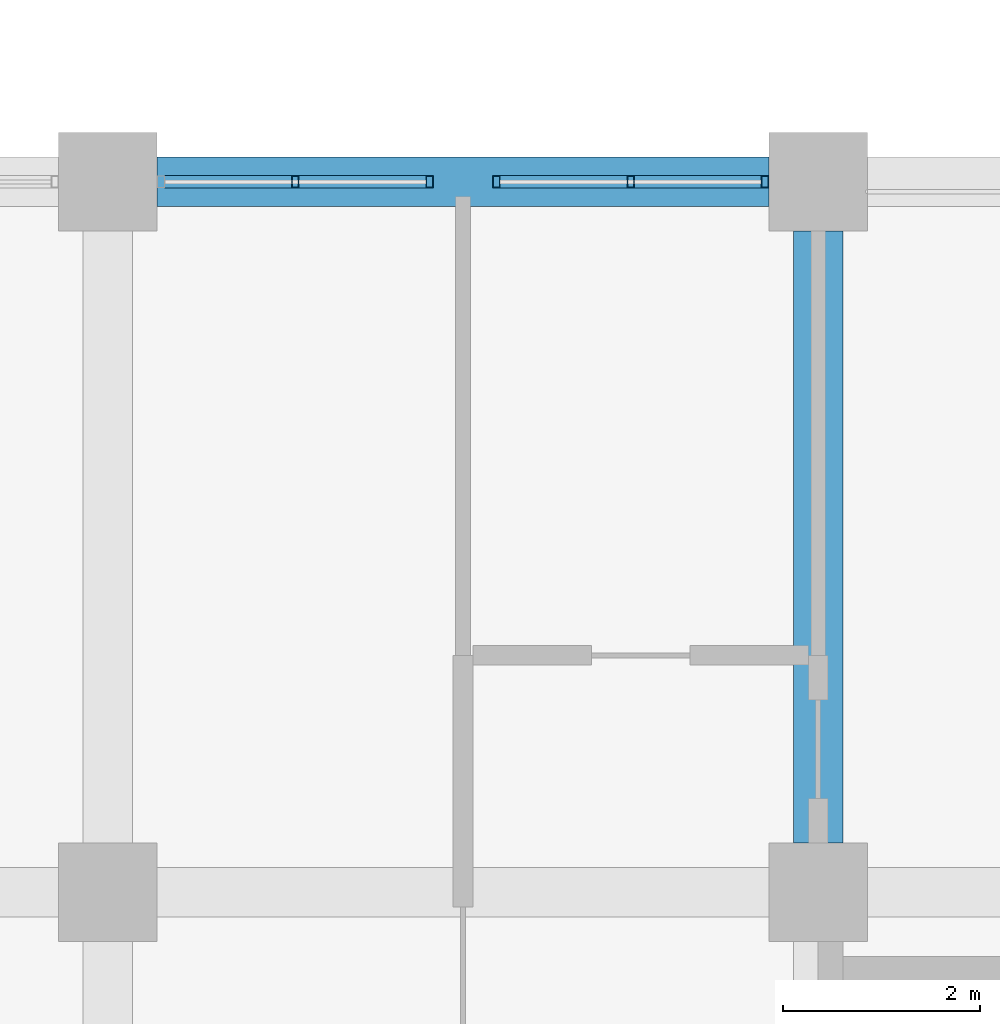
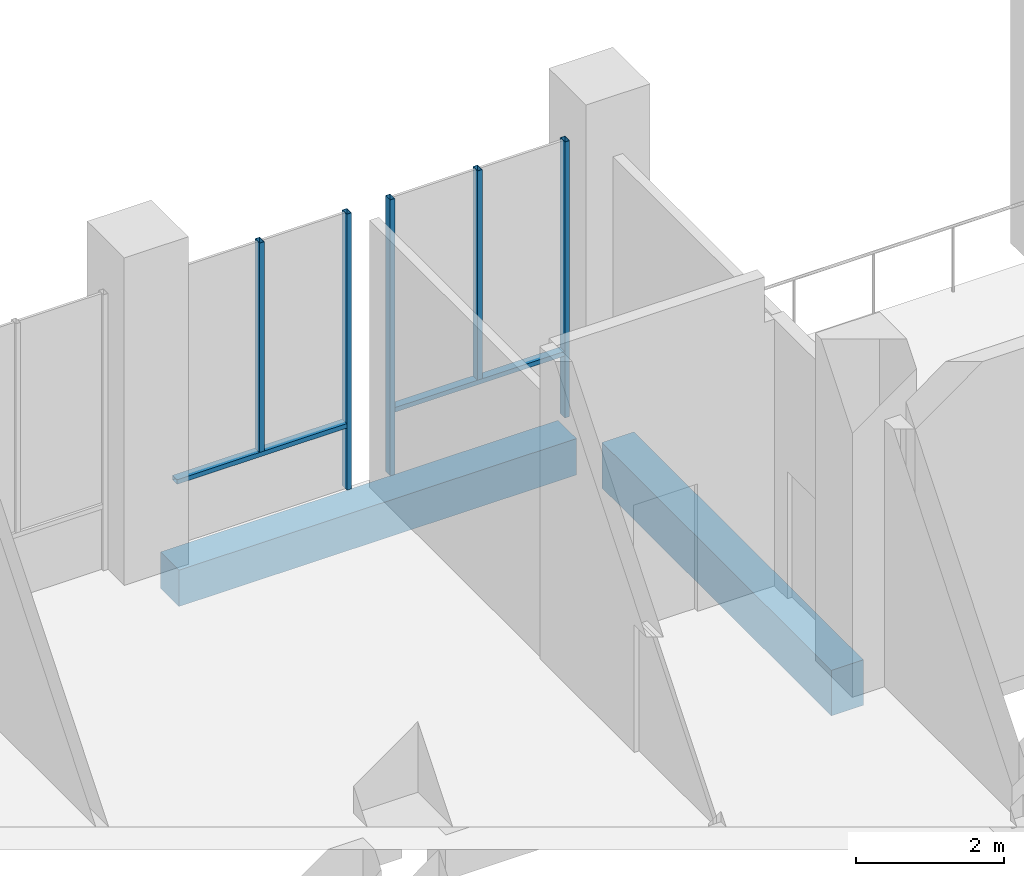
# One storey, part 5 of 48: 7 members, 2 beams, 2 elements without a shape of their own.
"""IFC4 building model written with IfcOpenShell, lengths in metres."""

from ifc_helpers import new_model, si_unit, direction, frame, origin, origin_2d, place, context, subcontext, project, spatial, rectangle, hollow_rectangle, extrude, material, material_profile, profile_set, type_object, element, aggregate, save


model = new_model("IFC4")

# Units and contexts
model_context = context("Model", 3, precision=1e-05, world=origin(), true_north=direction((0.0, 1.0)))
body_context = subcontext(model_context, "Body", "Model", "MODEL_VIEW")
ifc_project = project(units=[si_unit("LENGTHUNIT", "METRE"), si_unit("AREAUNIT", "SQUARE_METRE"), si_unit("VOLUMEUNIT", "CUBIC_METRE"), si_unit("PLANEANGLEUNIT", "RADIAN"), si_unit("MASSUNIT", "GRAM", prefix="KILO")], contexts=[model_context])

# Site, building, storey
site_placement = place(None, origin())
site = spatial("IfcSite", under=ifc_project, at=site_placement, CompositionType="ELEMENT")
building_placement = place(site_placement, origin())
building = spatial("IfcBuilding", under=site, at=building_placement, Name="Silangan Lancet Faculty of Sciences", CompositionType="ELEMENT")
storey_placement = place(building_placement, frame((0.0, 0.0, 6.0)))
storey = spatial("IfcBuildingStorey", under=building, at=storey_placement, Name="L01", CompositionType="ELEMENT", Elevation=6.0)

# Beams
ifc_material_1 = material(Name="Concrete C40/50", Category="concrete")
ifc_material_profile_1 = material_profile(ifc_material_1, rectangle(XDim=0.5, YDim=0.60009765625, at=origin_2d()), Name="RC 500x600")
ifc_profile_set_1 = profile_set([ifc_material_profile_1], Name="Concrete C40/50")
beam_type_1 = type_object("IfcBeamType", Name="BEAM RC 500x600", PredefinedType="BEAM", material=ifc_profile_set_1)
beam_1_placement = place(storey_placement, frame((14.89990234375, 21.60009765625, -0.550048828125), z_axis=(1.0, 0.0, 0.0), x_axis=(0.0, 1.0, 0.0)))
element("IfcBeam", 1, at=beam_1_placement, inside=storey, type_object=beam_type_1, Name="BM-L01-3D-4D", PredefinedType="BEAM", context=body_context, shape_type="SweptSolid", body=[
    extrude(rectangle(XDim=0.5, YDim=0.60009765625, at=origin_2d()), origin(), (0.0, 0.0, 1.0), 6.2001953125),
])
ifc_material_2 = material(Name="Concrete C40/50", Category="concrete")
ifc_material_profile_2 = material_profile(ifc_material_2, rectangle(XDim=0.5, YDim=0.75, at=origin_2d()), Name="RC 500x750")
ifc_profile_set_2 = profile_set([ifc_material_profile_2], Name="Concrete C40/50")
beam_type_2 = type_object("IfcBeamType", Name="BEAM RC 500x750", PredefinedType="BEAM", material=ifc_profile_set_2)
beam_2_placement = place(storey_placement, frame((21.60009765625, 14.89990234375, -0.625), z_axis=(0.0, 1.0, 0.0), x_axis=(-1.0, 0.0, 0.0)))
element("IfcBeam", 2, at=beam_2_placement, inside=storey, type_object=beam_type_2, Name="BM-L01-4C-4D", PredefinedType="BEAM", context=body_context, shape_type="SweptSolid", body=[
    extrude(rectangle(XDim=0.5, YDim=0.75, at=origin_2d()), origin(), (0.0, 0.0, 1.0), 6.2001953125),
])

# Curtain wall, members
ifc_material_3 = material(Name="Aluminium framed curtain wall with insulated glass", Category="aluminium")
curtain_wall_type = type_object("IfcCurtainWallType", Name="CW2 Atrium fire-resisting screen", PredefinedType="NOTDEFINED", material=ifc_material_3)
curtain_wall_1_placement = place(storey_placement, origin())
curtain_wall_1 = element("IfcCurtainWall", 3, at=curtain_wall_1_placement, inside=storey, type_object=curtain_wall_type, Name="CW2 Atrium south L01 bay 1", PredefinedType="NOTDEFINED")
ifc_material_4 = material(Name="Steel S355J2H", Category="steel")
ifc_material_profile_3 = material_profile(ifc_material_4, hollow_rectangle(XDim=0.074951171875, YDim=0.125, WallThickness=0.0048828125, at=origin_2d()), Name="ST BOX 75x125x5")
ifc_profile_set_3 = profile_set([ifc_material_profile_3], Name="Steel S355J2H")
member_type_1 = type_object("IfcMemberType", Name="CM2 Mullion 75x125", PredefinedType="MULLION", material=ifc_profile_set_3)
member_1_placement = place(storey_placement, frame((21.0625, 21.60009765625, 0.0), z_axis=(0.0, 0.0, 1.0), x_axis=(-1.0, 0.0, 0.0)))
member_1 = element("IfcMember", 4, at=member_1_placement, type_object=member_type_1, Name="CW2 Atrium south L01 bay 1 mullion 1", PredefinedType="MULLION", context=body_context, shape_type="SweptSolid", body=[
    extrude(hollow_rectangle(XDim=0.074951171875, YDim=0.125, WallThickness=0.0048828125, at=origin_2d()), origin(), (0.0, 0.0, 1.0), 4.550048828125),
])
member_2_placement = place(storey_placement, frame((18.33740234375, 21.60009765625, 0.0), z_axis=(0.0, 0.0, 1.0), x_axis=(-1.0, 0.0, 0.0)))
member_2 = element("IfcMember", 5, at=member_2_placement, type_object=member_type_1, Name="CW2 Atrium south L01 bay 1 mullion 2", PredefinedType="MULLION", context=body_context, shape_type="SweptSolid", body=[
    extrude(hollow_rectangle(XDim=0.074951171875, YDim=0.125, WallThickness=0.0048828125, at=origin_2d()), origin(), (0.0, 0.0, 1.0), 4.550048828125),
])
member_3_placement = place(storey_placement, frame((19.699951171875, 21.60009765625, 1.10009765625), z_axis=(0.0, 0.0, 1.0), x_axis=(-1.0, 0.0, 0.0)))
member_3 = element("IfcMember", 6, at=member_3_placement, type_object=member_type_1, Name="CW2 Atrium south L01 bay 1 mullion 3", PredefinedType="MULLION", context=body_context, shape_type="SweptSolid", body=[
    extrude(hollow_rectangle(XDim=0.074951171875, YDim=0.125, WallThickness=0.0048828125, at=origin_2d()), origin(), (0.0, 0.0, 1.0), 3.449951171875),
])

curtain_wall_2_placement = place(storey_placement, origin())
curtain_wall_2 = element("IfcCurtainWall", 7, at=curtain_wall_2_placement, inside=storey, type_object=curtain_wall_type, Name="CW2 Atrium south L01 bay 2", PredefinedType="NOTDEFINED")
member_4_placement = place(storey_placement, frame((17.66259765625, 21.60009765625, 0.0), z_axis=(0.0, 0.0, 1.0), x_axis=(-1.0, 0.0, 0.0)))
member_4 = element("IfcMember", 8, at=member_4_placement, type_object=member_type_1, Name="CW2 Atrium south L01 bay 2 mullion 1", PredefinedType="MULLION", context=body_context, shape_type="SweptSolid", body=[
    extrude(hollow_rectangle(XDim=0.074951171875, YDim=0.125, WallThickness=0.0048828125, at=origin_2d()), origin(), (0.0, 0.0, 1.0), 4.550048828125),
])
member_5_placement = place(storey_placement, frame((16.300048828125, 21.60009765625, 1.10009765625), z_axis=(0.0, 0.0, 1.0), x_axis=(-1.0, 0.0, 0.0)))
member_5 = element("IfcMember", 9, at=member_5_placement, type_object=member_type_1, Name="CW2 Atrium south L01 bay 2 mullion 3", PredefinedType="MULLION", context=body_context, shape_type="SweptSolid", body=[
    extrude(hollow_rectangle(XDim=0.074951171875, YDim=0.125, WallThickness=0.0048828125, at=origin_2d()), origin(), (0.0, 0.0, 1.0), 3.449951171875),
])

# Member
ifc_material_5 = material(Name="Steel S355J2H", Category="steel")
ifc_material_profile_4 = material_profile(ifc_material_5, hollow_rectangle(XDim=0.125, YDim=0.074951171875, WallThickness=0.0048828125, at=origin_2d()), Name="ST BOX 125x75x5")
ifc_profile_set_4 = profile_set([ifc_material_profile_4], Name="Steel S355J2H")
member_type_2 = type_object("IfcMemberType", Name="CT2 Transom 125x75", PredefinedType="USERDEFINED", material=ifc_profile_set_4)
member_6_placement = place(storey_placement, frame((21.02490234375, 21.60009765625, 1.0625), z_axis=(-1.0, 0.0, 0.0), x_axis=(0.0, -1.0, 0.0)))
member_6 = element("IfcMember", 10, at=member_6_placement, type_object=member_type_2, Name="CW2 Atrium south L01 bay 1 transom 1", ObjectType="TRANSOM", PredefinedType="USERDEFINED", context=body_context, shape_type="SweptSolid", body=[
    extrude(hollow_rectangle(XDim=0.125, YDim=0.074951171875, WallThickness=0.0048828125, at=origin_2d()), origin(), (0.0, 0.0, 1.0), 2.64990234375),
])

aggregate(curtain_wall_1, [member_1, member_2, member_3, member_6])

member_7_placement = place(storey_placement, frame((17.625, 21.60009765625, 1.0625), z_axis=(-1.0, 0.0, 0.0), x_axis=(0.0, -1.0, 0.0)))
member_7 = element("IfcMember", 11, at=member_7_placement, type_object=member_type_2, Name="CW2 Atrium south L01 bay 2 transom 1", ObjectType="TRANSOM", PredefinedType="USERDEFINED", context=body_context, shape_type="SweptSolid", body=[
    extrude(hollow_rectangle(XDim=0.125, YDim=0.074951171875, WallThickness=0.0048828125, at=origin_2d()), origin(), (0.0, 0.0, 1.0), 2.64990234375),
])

aggregate(curtain_wall_2, [member_4, member_5, member_7])

save(model, "model.ifc")
